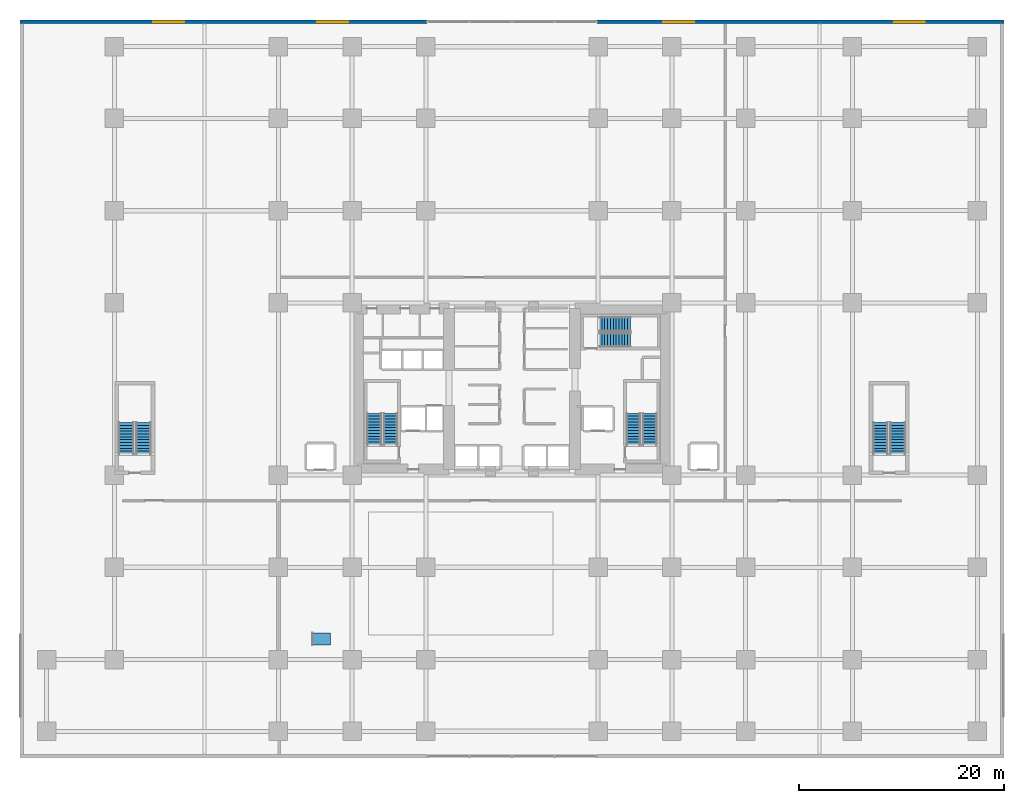
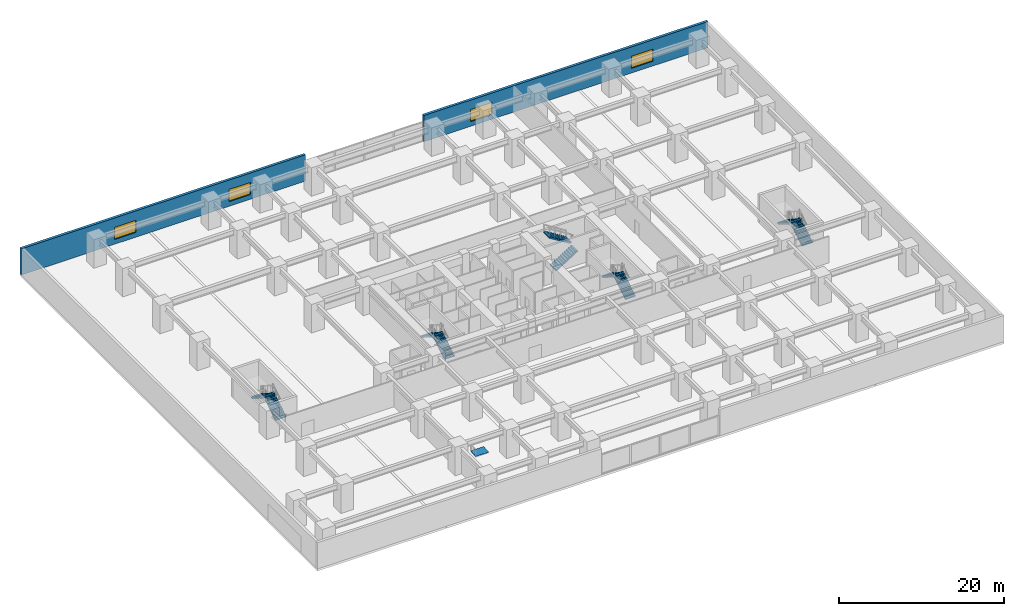
# One storey, part 14 of 22: 10 stair flights, 4 windows, 2 walls, 1 ramp flight, 4 openings, 6 elements without a shape of their own.
"""IFC4 building model written with IfcOpenShell, lengths in metres."""

from ifc_helpers import new_model, si_unit, direction, frame, frame_2d, origin, place, context, subcontext, project, spatial, polyline, rectangle, outline, extrude, material, layer, layer_set, type_object, element, fill, aggregate, save


model = new_model("IFC4")

# Units and contexts
model_context = context("Model", 3, precision=1e-05, world=origin(), true_north=direction((0.0, 1.0)))
body_context = subcontext(model_context, "Body", "Model", "MODEL_VIEW")
ifc_project = project(units=[si_unit("LENGTHUNIT", "METRE"), si_unit("AREAUNIT", "SQUARE_METRE"), si_unit("VOLUMEUNIT", "CUBIC_METRE"), si_unit("PLANEANGLEUNIT", "RADIAN"), si_unit("MASSUNIT", "GRAM", prefix="KILO")], contexts=[model_context])

# Site, building, storey
site_placement = place(None, origin())
site = spatial("IfcSite", under=ifc_project, at=site_placement, CompositionType="ELEMENT")
building_placement = place(site_placement, origin())
building = spatial("IfcBuilding", under=site, at=building_placement, Name="Kiyonajd Concourse Tower", CompositionType="ELEMENT")
storey_placement = place(building_placement, frame((0.0, 0.0, 4.5)))
storey = spatial("IfcBuildingStorey", under=building, at=storey_placement, Name="L02", CompositionType="ELEMENT", Elevation=4.5)

# Wall, openings, windows
ifc_material_1 = material(Name="Precast concrete C50/60", Category="concrete")
ifc_layer_1 = layer(ifc_material_1, 0.360107421875)
ifc_layer_set_1 = layer_set([ifc_layer_1], Name="Precast concrete C50/60")
wall_type = type_object("IfcWallType", Name="WL-EXT-360", PredefinedType="SOLIDWALL", material=ifc_layer_set_1)
wall_1_placement = place(storey_placement, frame((0.0, 71.820068359375, 0.0), z_axis=(0.0, 0.0, 1.0), x_axis=(1.0, 0.0, 0.0)))
wall_1 = element("IfcWall", 1, at=wall_1_placement, inside=storey, type_object=wall_type, Name="L02 North West Podium Facade Wall", PredefinedType="SOLIDWALL", context=body_context, shape_type="SweptSolid", body=[
    extrude(rectangle(XDim=39.719970703125, YDim=0.360107421875, at=frame_2d((19.85986328125, 0.0))), origin(), (0.0, 0.0, 1.0), 3.8798828125),
])
opening_1_placement = place(wall_1_placement, frame((13.0, 0.0, 0.699951171875)))
opening_1 = element("IfcOpeningElement", 2, at=opening_1_placement, cuts=wall_1, Name="Opening WN7", PredefinedType="OPENING", context=body_context, shape_type="SweptSolid", body=[
    extrude(rectangle(XDim=3.0, YDim=1.800048828125, at=frame_2d((1.5, 0.89990234375))), frame((0.0, 0.18994140625, 0.0), z_axis=(0.0, -1.0, 0.0), x_axis=(1.0, 0.0, 0.0)), (0.0, 0.0, 1.0), 0.380126953125),
])
opening_2_placement = place(wall_1_placement, frame((29.0, 0.0, 0.699951171875)))
opening_2 = element("IfcOpeningElement", 3, at=opening_2_placement, cuts=wall_1, Name="Opening WN7", PredefinedType="OPENING", context=body_context, shape_type="SweptSolid", body=[
    extrude(rectangle(XDim=3.0, YDim=1.800048828125, at=frame_2d((1.5, 0.89990234375))), frame((0.0, 0.18994140625, 0.0), z_axis=(0.0, -1.0, 0.0), x_axis=(1.0, 0.0, 0.0)), (0.0, 0.0, 1.0), 0.380126953125),
])
ifc_material_2 = material(Name="Double Low-E Insulated Glass", Category="glass")
window_type = type_object("IfcWindowType", Name="WN-POD-3000x1800", PartitioningType="SINGLE_PANEL", PredefinedType="WINDOW", material=ifc_material_2)
window_1_placement = place(opening_1_placement, origin())
window_1 = element("IfcWindow", 4, at=window_1_placement, inside=storey, type_object=window_type, Name="L02 North West Podium Vision Window", OverallHeight=1.800048828125, OverallWidth=3.0, PartitioningType="SINGLE_PANEL", PredefinedType="WINDOW", context=body_context, shape_type="SweptSolid", body=[
    extrude(rectangle(XDim=3.0, YDim=1.800048828125, at=frame_2d((1.5, 0.89990234375))), frame((0.0, 0.030029296875, 0.0), z_axis=(0.0, -1.0, 0.0), x_axis=(1.0, 0.0, 0.0)), (0.0, 0.0, 1.0), 0.06005859375),
])
fill(opening_1, window_1)
window_2_placement = place(opening_2_placement, origin())
window_2 = element("IfcWindow", 5, at=window_2_placement, inside=storey, type_object=window_type, Name="L02 North West Podium Vision Window", OverallHeight=1.800048828125, OverallWidth=3.0, PartitioningType="SINGLE_PANEL", PredefinedType="WINDOW", context=body_context, shape_type="SweptSolid", body=[
    extrude(rectangle(XDim=3.0, YDim=1.800048828125, at=frame_2d((1.5, 0.89990234375))), frame((0.0, 0.030029296875, 0.0), z_axis=(0.0, -1.0, 0.0), x_axis=(1.0, 0.0, 0.0)), (0.0, 0.0, 1.0), 0.06005859375),
])
fill(opening_2, window_2)

wall_2_placement = place(storey_placement, frame((56.280029296875, 71.820068359375, 0.0), z_axis=(0.0, 0.0, 1.0), x_axis=(1.0, 0.0, 0.0)))
wall_2 = element("IfcWall", 6, at=wall_2_placement, inside=storey, type_object=wall_type, Name="L02 North East Podium Facade Wall", PredefinedType="SOLIDWALL", context=body_context, shape_type="SweptSolid", body=[
    extrude(rectangle(XDim=39.719970703125, YDim=0.360107421875, at=frame_2d((19.85986328125, 0.0))), origin(), (0.0, 0.0, 1.0), 3.8798828125),
])
opening_3_placement = place(wall_2_placement, frame((6.5, 0.0, 0.699951171875)))
opening_3 = element("IfcOpeningElement", 7, at=opening_3_placement, cuts=wall_2, Name="Opening WN7", PredefinedType="OPENING", context=body_context, shape_type="SweptSolid", body=[
    extrude(rectangle(XDim=3.0, YDim=1.800048828125, at=frame_2d((1.5, 0.89990234375))), frame((0.0, 0.18994140625, 0.0), z_axis=(0.0, -1.0, 0.0), x_axis=(1.0, 0.0, 0.0)), (0.0, 0.0, 1.0), 0.380126953125),
])
opening_4_placement = place(wall_2_placement, frame((29.0, 0.0, 0.699951171875)))
opening_4 = element("IfcOpeningElement", 8, at=opening_4_placement, cuts=wall_2, Name="Opening WN7", PredefinedType="OPENING", context=body_context, shape_type="SweptSolid", body=[
    extrude(rectangle(XDim=3.0, YDim=1.800048828125, at=frame_2d((1.5, 0.89990234375))), frame((0.0, 0.18994140625, 0.0), z_axis=(0.0, -1.0, 0.0), x_axis=(1.0, 0.0, 0.0)), (0.0, 0.0, 1.0), 0.380126953125),
])
window_3_placement = place(opening_3_placement, origin())
window_3 = element("IfcWindow", 9, at=window_3_placement, inside=storey, type_object=window_type, Name="L02 North East Podium Vision Window", OverallHeight=1.800048828125, OverallWidth=3.0, PartitioningType="SINGLE_PANEL", PredefinedType="WINDOW", context=body_context, shape_type="SweptSolid", body=[
    extrude(rectangle(XDim=3.0, YDim=1.800048828125, at=frame_2d((1.5, 0.89990234375))), frame((0.0, 0.030029296875, 0.0), z_axis=(0.0, -1.0, 0.0), x_axis=(1.0, 0.0, 0.0)), (0.0, 0.0, 1.0), 0.06005859375),
])
fill(opening_3, window_3)
window_4_placement = place(opening_4_placement, origin())
window_4 = element("IfcWindow", 10, at=window_4_placement, inside=storey, type_object=window_type, Name="L02 North East Podium Vision Window", OverallHeight=1.800048828125, OverallWidth=3.0, PartitioningType="SINGLE_PANEL", PredefinedType="WINDOW", context=body_context, shape_type="SweptSolid", body=[
    extrude(rectangle(XDim=3.0, YDim=1.800048828125, at=frame_2d((1.5, 0.89990234375))), frame((0.0, 0.030029296875, 0.0), z_axis=(0.0, -1.0, 0.0), x_axis=(1.0, 0.0, 0.0)), (0.0, 0.0, 1.0), 0.06005859375),
])
fill(opening_4, window_4)

# Stair, stair flights
ifc_material_3 = material(Name="Concrete C40/50", Category="concrete")
stair_type_1 = type_object("IfcStairType", Name="ST-POD-1500", PredefinedType="HALF_TURN_STAIR", material=ifc_material_3)
stair_1_placement = place(storey_placement, origin())
stair_1 = element("IfcStair", 11, at=stair_1_placement, inside=storey, type_object=stair_type_1, Name="L02 West Podium Exit Stair ST4", PredefinedType="HALF_TURN_STAIR")
stair_flight_type_1 = type_object("IfcStairFlightType", Name="SF-POD-1500", PredefinedType="STRAIGHT", material=ifc_material_3)
stair_flight_1_placement = place(storey_placement, frame((12.050048828125, 29.64990234375, 0.0), z_axis=(0.0, 0.0, 1.0), x_axis=(0.0, 1.0, 0.0)))
stair_flight_1 = element("IfcStairFlight", 12, at=stair_flight_1_placement, type_object=stair_flight_type_1, Name="ST4 flight 1", NumberOfRisers=12, NumberOfTreads=11, PredefinedType="STRAIGHT", RiserHeight=0.175, TreadLength=0.28, context=body_context, shape_type="SweptSolid", body=[
    extrude(outline(polyline([(0.0, 0.0), (0.0, 0.175048828125), (0.280029296875, 0.175048828125), (0.280029296875, 0.35009765625), (0.56005859375, 0.35009765625), (0.56005859375, 0.52490234375), (0.840087890625, 0.52490234375), (0.840087890625, 0.699951171875), (1.1201171875, 0.699951171875), (1.1201171875, 0.875), (1.39990234375, 0.875), (1.39990234375, 1.050048828125), (1.679931640625, 1.050048828125), (1.679931640625, 1.22509765625), (1.9599609375, 1.22509765625), (1.9599609375, 1.39990234375), (2.239990234375, 1.39990234375), (2.239990234375, 1.574951171875), (2.52001953125, 1.574951171875), (2.52001953125, 1.75), (2.800048828125, 1.75), (2.800048828125, 1.925048828125), (3.080078125, 1.925048828125), (3.080078125, 2.10009765625), (3.080078125, 1.748291015625), (0.28271484375, 0.0), (0.0, 0.0)])), frame((0.0, 0.75, 0.0), z_axis=(0.0, -1.0, 0.0), x_axis=(1.0, 0.0, 0.0)), (0.0, 0.0, 1.0), 1.5),
])
stair_flight_2_placement = place(storey_placement, frame((10.35009765625, 32.72998046875, 2.10009765625), z_axis=(0.0, 0.0, 1.0), x_axis=(0.0, -1.0, 0.0)))
stair_flight_2 = element("IfcStairFlight", 13, at=stair_flight_2_placement, type_object=stair_flight_type_1, Name="ST4 flight 2", NumberOfRisers=12, NumberOfTreads=11, PredefinedType="STRAIGHT", RiserHeight=0.175, TreadLength=0.28, context=body_context, shape_type="SweptSolid", body=[
    extrude(outline(polyline([(0.0, 0.0), (0.0, 0.175048828125), (0.280029296875, 0.175048828125), (0.280029296875, 0.35009765625), (0.56005859375, 0.35009765625), (0.56005859375, 0.52490234375), (0.840087890625, 0.52490234375), (0.840087890625, 0.699951171875), (1.1201171875, 0.699951171875), (1.1201171875, 0.875), (1.39990234375, 0.875), (1.39990234375, 1.050048828125), (1.679931640625, 1.050048828125), (1.679931640625, 1.22509765625), (1.9599609375, 1.22509765625), (1.9599609375, 1.39990234375), (2.239990234375, 1.39990234375), (2.239990234375, 1.574951171875), (2.52001953125, 1.574951171875), (2.52001953125, 1.75), (2.800048828125, 1.75), (2.800048828125, 1.925048828125), (3.080078125, 1.925048828125), (3.080078125, 2.10009765625), (3.080078125, 1.748291015625), (0.28271484375, 0.0), (0.0, 0.0)])), frame((0.0, 0.75, 0.0), z_axis=(0.0, -1.0, 0.0), x_axis=(1.0, 0.0, 0.0)), (0.0, 0.0, 1.0), 1.5),
])
aggregate(stair_1, [stair_flight_1, stair_flight_2])

stair_2_placement = place(storey_placement, origin())
stair_2 = element("IfcStair", 14, at=stair_2_placement, inside=storey, type_object=stair_type_1, Name="L02 East Podium Exit Stair ST5", PredefinedType="HALF_TURN_STAIR")
stair_flight_3_placement = place(storey_placement, frame((85.64990234375, 29.64990234375, 0.0), z_axis=(0.0, 0.0, 1.0), x_axis=(0.0, 1.0, 0.0)))
stair_flight_3 = element("IfcStairFlight", 15, at=stair_flight_3_placement, type_object=stair_flight_type_1, Name="ST5 flight 1", NumberOfRisers=12, NumberOfTreads=11, PredefinedType="STRAIGHT", RiserHeight=0.175, TreadLength=0.28, context=body_context, shape_type="SweptSolid", body=[
    extrude(outline(polyline([(0.0, 0.0), (0.0, 0.175048828125), (0.280029296875, 0.175048828125), (0.280029296875, 0.35009765625), (0.56005859375, 0.35009765625), (0.56005859375, 0.52490234375), (0.840087890625, 0.52490234375), (0.840087890625, 0.699951171875), (1.1201171875, 0.699951171875), (1.1201171875, 0.875), (1.39990234375, 0.875), (1.39990234375, 1.050048828125), (1.679931640625, 1.050048828125), (1.679931640625, 1.22509765625), (1.9599609375, 1.22509765625), (1.9599609375, 1.39990234375), (2.239990234375, 1.39990234375), (2.239990234375, 1.574951171875), (2.52001953125, 1.574951171875), (2.52001953125, 1.75), (2.800048828125, 1.75), (2.800048828125, 1.925048828125), (3.080078125, 1.925048828125), (3.080078125, 2.10009765625), (3.080078125, 1.748291015625), (0.28271484375, 0.0), (0.0, 0.0)])), frame((0.0, 0.75, 0.0), z_axis=(0.0, -1.0, 0.0), x_axis=(1.0, 0.0, 0.0)), (0.0, 0.0, 1.0), 1.5),
])
stair_flight_4_placement = place(storey_placement, frame((83.949951171875, 32.72998046875, 2.10009765625), z_axis=(0.0, 0.0, 1.0), x_axis=(0.0, -1.0, 0.0)))
stair_flight_4 = element("IfcStairFlight", 16, at=stair_flight_4_placement, type_object=stair_flight_type_1, Name="ST5 flight 2", NumberOfRisers=12, NumberOfTreads=11, PredefinedType="STRAIGHT", RiserHeight=0.175, TreadLength=0.28, context=body_context, shape_type="SweptSolid", body=[
    extrude(outline(polyline([(0.0, 0.0), (0.0, 0.175048828125), (0.280029296875, 0.175048828125), (0.280029296875, 0.35009765625), (0.56005859375, 0.35009765625), (0.56005859375, 0.52490234375), (0.840087890625, 0.52490234375), (0.840087890625, 0.699951171875), (1.1201171875, 0.699951171875), (1.1201171875, 0.875), (1.39990234375, 0.875), (1.39990234375, 1.050048828125), (1.679931640625, 1.050048828125), (1.679931640625, 1.22509765625), (1.9599609375, 1.22509765625), (1.9599609375, 1.39990234375), (2.239990234375, 1.39990234375), (2.239990234375, 1.574951171875), (2.52001953125, 1.574951171875), (2.52001953125, 1.75), (2.800048828125, 1.75), (2.800048828125, 1.925048828125), (3.080078125, 1.925048828125), (3.080078125, 2.10009765625), (3.080078125, 1.748291015625), (0.28271484375, 0.0), (0.0, 0.0)])), frame((0.0, 0.75, 0.0), z_axis=(0.0, -1.0, 0.0), x_axis=(1.0, 0.0, 0.0)), (0.0, 0.0, 1.0), 1.5),
])
aggregate(stair_2, [stair_flight_3, stair_flight_4])

stair_type_2 = type_object("IfcStairType", Name="ST-DLG-24R", PredefinedType="HALF_TURN_STAIR", material=ifc_material_3)
stair_3_placement = place(storey_placement, origin())
stair_3 = element("IfcStair", 17, at=stair_3_placement, inside=storey, type_object=stair_type_2, Name="L02 Protected Exit Stair ST1", PredefinedType="HALF_TURN_STAIR")
stair_flight_type_2 = type_object("IfcStairFlightType", Name="SF-STR-24R", PredefinedType="STRAIGHT", material=ifc_material_3)
stair_flight_5_placement = place(storey_placement, frame((36.14990234375, 30.550048828125, 0.0), z_axis=(0.0, 0.0, 1.0), x_axis=(0.0, 1.0, 0.0)))
stair_flight_5 = element("IfcStairFlight", 18, at=stair_flight_5_placement, type_object=stair_flight_type_2, Name="ST1 flight 1", NumberOfRisers=12, NumberOfTreads=11, PredefinedType="STRAIGHT", RiserHeight=0.175, TreadLength=0.28, context=body_context, shape_type="SweptSolid", body=[
    extrude(outline(polyline([(0.0, 0.0), (0.0, 0.175048828125), (0.280029296875, 0.175048828125), (0.280029296875, 0.35009765625), (0.56005859375, 0.35009765625), (0.56005859375, 0.52490234375), (0.840087890625, 0.52490234375), (0.840087890625, 0.699951171875), (1.1201171875, 0.699951171875), (1.1201171875, 0.875), (1.39990234375, 0.875), (1.39990234375, 1.050048828125), (1.679931640625, 1.050048828125), (1.679931640625, 1.22509765625), (1.9599609375, 1.22509765625), (1.9599609375, 1.39990234375), (2.239990234375, 1.39990234375), (2.239990234375, 1.574951171875), (2.52001953125, 1.574951171875), (2.52001953125, 1.75), (2.800048828125, 1.75), (2.800048828125, 1.925048828125), (3.080078125, 1.925048828125), (3.080078125, 2.10009765625), (3.080078125, 1.748291015625), (0.28271484375, 0.0), (0.0, 0.0)])), frame((0.0, 0.699951171875, 0.0), z_axis=(0.0, -1.0, 0.0), x_axis=(1.0, 0.0, 0.0)), (0.0, 0.0, 1.0), 1.39990234375),
])
stair_flight_6_placement = place(storey_placement, frame((34.550048828125, 33.6298828125, 2.10009765625), z_axis=(0.0, 0.0, 1.0), x_axis=(0.0, -1.0, 0.0)))
stair_flight_6 = element("IfcStairFlight", 19, at=stair_flight_6_placement, type_object=stair_flight_type_2, Name="ST1 flight 2", NumberOfRisers=12, NumberOfTreads=11, PredefinedType="STRAIGHT", RiserHeight=0.175, TreadLength=0.28, context=body_context, shape_type="SweptSolid", body=[
    extrude(outline(polyline([(0.0, 0.0), (0.0, 0.175048828125), (0.280029296875, 0.175048828125), (0.280029296875, 0.35009765625), (0.56005859375, 0.35009765625), (0.56005859375, 0.52490234375), (0.840087890625, 0.52490234375), (0.840087890625, 0.699951171875), (1.1201171875, 0.699951171875), (1.1201171875, 0.875), (1.39990234375, 0.875), (1.39990234375, 1.050048828125), (1.679931640625, 1.050048828125), (1.679931640625, 1.22509765625), (1.9599609375, 1.22509765625), (1.9599609375, 1.39990234375), (2.239990234375, 1.39990234375), (2.239990234375, 1.574951171875), (2.52001953125, 1.574951171875), (2.52001953125, 1.75), (2.800048828125, 1.75), (2.800048828125, 1.925048828125), (3.080078125, 1.925048828125), (3.080078125, 2.10009765625), (3.080078125, 1.748291015625), (0.28271484375, 0.0), (0.0, 0.0)])), frame((0.0, 0.699951171875, 0.0), z_axis=(0.0, -1.0, 0.0), x_axis=(1.0, 0.0, 0.0)), (0.0, 0.0, 1.0), 1.39990234375),
])
aggregate(stair_3, [stair_flight_5, stair_flight_6])

stair_4_placement = place(storey_placement, origin())
stair_4 = element("IfcStair", 20, at=stair_4_placement, inside=storey, type_object=stair_type_2, Name="L02 Protected Exit Stair ST2", PredefinedType="HALF_TURN_STAIR")
stair_flight_7_placement = place(storey_placement, frame((61.449951171875, 30.550048828125, 0.0), z_axis=(0.0, 0.0, 1.0), x_axis=(0.0, 1.0, 0.0)))
stair_flight_7 = element("IfcStairFlight", 21, at=stair_flight_7_placement, type_object=stair_flight_type_2, Name="ST2 flight 1", NumberOfRisers=12, NumberOfTreads=11, PredefinedType="STRAIGHT", RiserHeight=0.175, TreadLength=0.28, context=body_context, shape_type="SweptSolid", body=[
    extrude(outline(polyline([(0.0, 0.0), (0.0, 0.175048828125), (0.280029296875, 0.175048828125), (0.280029296875, 0.35009765625), (0.56005859375, 0.35009765625), (0.56005859375, 0.52490234375), (0.840087890625, 0.52490234375), (0.840087890625, 0.699951171875), (1.1201171875, 0.699951171875), (1.1201171875, 0.875), (1.39990234375, 0.875), (1.39990234375, 1.050048828125), (1.679931640625, 1.050048828125), (1.679931640625, 1.22509765625), (1.9599609375, 1.22509765625), (1.9599609375, 1.39990234375), (2.239990234375, 1.39990234375), (2.239990234375, 1.574951171875), (2.52001953125, 1.574951171875), (2.52001953125, 1.75), (2.800048828125, 1.75), (2.800048828125, 1.925048828125), (3.080078125, 1.925048828125), (3.080078125, 2.10009765625), (3.080078125, 1.748291015625), (0.28271484375, 0.0), (0.0, 0.0)])), frame((0.0, 0.699951171875, 0.0), z_axis=(0.0, -1.0, 0.0), x_axis=(1.0, 0.0, 0.0)), (0.0, 0.0, 1.0), 1.39990234375),
])
stair_flight_8_placement = place(storey_placement, frame((59.85009765625, 33.6298828125, 2.10009765625), z_axis=(0.0, 0.0, 1.0), x_axis=(0.0, -1.0, 0.0)))
stair_flight_8 = element("IfcStairFlight", 22, at=stair_flight_8_placement, type_object=stair_flight_type_2, Name="ST2 flight 2", NumberOfRisers=12, NumberOfTreads=11, PredefinedType="STRAIGHT", RiserHeight=0.175, TreadLength=0.28, context=body_context, shape_type="SweptSolid", body=[
    extrude(outline(polyline([(0.0, 0.0), (0.0, 0.175048828125), (0.280029296875, 0.175048828125), (0.280029296875, 0.35009765625), (0.56005859375, 0.35009765625), (0.56005859375, 0.52490234375), (0.840087890625, 0.52490234375), (0.840087890625, 0.699951171875), (1.1201171875, 0.699951171875), (1.1201171875, 0.875), (1.39990234375, 0.875), (1.39990234375, 1.050048828125), (1.679931640625, 1.050048828125), (1.679931640625, 1.22509765625), (1.9599609375, 1.22509765625), (1.9599609375, 1.39990234375), (2.239990234375, 1.39990234375), (2.239990234375, 1.574951171875), (2.52001953125, 1.574951171875), (2.52001953125, 1.75), (2.800048828125, 1.75), (2.800048828125, 1.925048828125), (3.080078125, 1.925048828125), (3.080078125, 2.10009765625), (3.080078125, 1.748291015625), (0.28271484375, 0.0), (0.0, 0.0)])), frame((0.0, 0.699951171875, 0.0), z_axis=(0.0, -1.0, 0.0), x_axis=(1.0, 0.0, 0.0)), (0.0, 0.0, 1.0), 1.39990234375),
])
aggregate(stair_4, [stair_flight_7, stair_flight_8])

stair_5_placement = place(storey_placement, origin())
stair_5 = element("IfcStair", 23, at=stair_5_placement, inside=storey, type_object=stair_type_2, Name="L02 Protected Exit Stair ST3", PredefinedType="HALF_TURN_STAIR")
stair_flight_9_placement = place(storey_placement, frame((56.47998046875, 40.780029296875, 0.0), z_axis=(0.0, 0.0, 1.0), x_axis=(1.0, 0.0, 0.0)))
stair_flight_9 = element("IfcStairFlight", 24, at=stair_flight_9_placement, type_object=stair_flight_type_2, Name="ST3 flight 1", NumberOfRisers=12, NumberOfTreads=11, PredefinedType="STRAIGHT", RiserHeight=0.175, TreadLength=0.28, context=body_context, shape_type="SweptSolid", body=[
    extrude(outline(polyline([(0.0, 0.0), (0.0, 0.175048828125), (0.280029296875, 0.175048828125), (0.280029296875, 0.35009765625), (0.56005859375, 0.35009765625), (0.56005859375, 0.52490234375), (0.840087890625, 0.52490234375), (0.840087890625, 0.699951171875), (1.1201171875, 0.699951171875), (1.1201171875, 0.875), (1.39990234375, 0.875), (1.39990234375, 1.050048828125), (1.679931640625, 1.050048828125), (1.679931640625, 1.22509765625), (1.9599609375, 1.22509765625), (1.9599609375, 1.39990234375), (2.239990234375, 1.39990234375), (2.239990234375, 1.574951171875), (2.52001953125, 1.574951171875), (2.52001953125, 1.75), (2.800048828125, 1.75), (2.800048828125, 1.925048828125), (3.080078125, 1.925048828125), (3.080078125, 2.10009765625), (3.080078125, 1.748291015625), (0.28271484375, 0.0), (0.0, 0.0)])), frame((0.0, 0.699951171875, 0.0), z_axis=(0.0, -1.0, 0.0), x_axis=(1.0, 0.0, 0.0)), (0.0, 0.0, 1.0), 1.39990234375),
])
stair_flight_10_placement = place(storey_placement, frame((59.56005859375, 42.320068359375, 2.10009765625), z_axis=(0.0, 0.0, 1.0), x_axis=(-1.0, 0.0, 0.0)))
stair_flight_10 = element("IfcStairFlight", 25, at=stair_flight_10_placement, type_object=stair_flight_type_2, Name="ST3 flight 2", NumberOfRisers=12, NumberOfTreads=11, PredefinedType="STRAIGHT", RiserHeight=0.175, TreadLength=0.28, context=body_context, shape_type="SweptSolid", body=[
    extrude(outline(polyline([(0.0, 0.0), (0.0, 0.175048828125), (0.280029296875, 0.175048828125), (0.280029296875, 0.35009765625), (0.56005859375, 0.35009765625), (0.56005859375, 0.52490234375), (0.840087890625, 0.52490234375), (0.840087890625, 0.699951171875), (1.1201171875, 0.699951171875), (1.1201171875, 0.875), (1.39990234375, 0.875), (1.39990234375, 1.050048828125), (1.679931640625, 1.050048828125), (1.679931640625, 1.22509765625), (1.9599609375, 1.22509765625), (1.9599609375, 1.39990234375), (2.239990234375, 1.39990234375), (2.239990234375, 1.574951171875), (2.52001953125, 1.574951171875), (2.52001953125, 1.75), (2.800048828125, 1.75), (2.800048828125, 1.925048828125), (3.080078125, 1.925048828125), (3.080078125, 2.10009765625), (3.080078125, 1.748291015625), (0.28271484375, 0.0), (0.0, 0.0)])), frame((0.0, 0.699951171875, 0.0), z_axis=(0.0, -1.0, 0.0), x_axis=(1.0, 0.0, 0.0)), (0.0, 0.0, 1.0), 1.39990234375),
])
aggregate(stair_5, [stair_flight_9, stair_flight_10])

# Ramp, ramp flight
ramp_type = type_object("IfcRampType", Name="RM-PED-1800", PredefinedType="STRAIGHT_RUN_RAMP", material=ifc_material_3)
ramp_placement = place(storey_placement, origin())
ramp = element("IfcRamp", 26, at=ramp_placement, inside=storey, type_object=ramp_type, Name="L02 Accessible Threshold Ramp PR2", PredefinedType="STRAIGHT_RUN_RAMP")
ifc_layer_2 = layer(ifc_material_3, 0.179931640625)
ifc_layer_set_2 = layer_set([ifc_layer_2], Name="Concrete C40/50")
ramp_flight_type = type_object("IfcRampFlightType", Name="RF-PED-180", PredefinedType="STRAIGHT", material=ifc_layer_set_2)
ramp_flight_placement = place(storey_placement, frame((28.5, 11.0, 0.0), z_axis=(0.0, -0.083129378007, 0.996538763176), x_axis=(1.0, 0.0, 0.0)))
ramp_flight = element("IfcRampFlight", 27, at=ramp_flight_placement, type_object=ramp_flight_type, Name="L02 Accessible Ramp Flight PR2", PredefinedType="STRAIGHT", context=body_context, shape_type="SweptSolid", body=[
    extrude(outline(polyline([(0.0, 0.0), (1.800048828125, 0.0), (1.800048828125, 1.2041189125958156), (0.0, 1.2041189125958156), (0.0, 0.0)])), origin(), (0.0, 0.0, -1.0), 0.179931640625),
])
aggregate(ramp, [ramp_flight])

save(model, "model.ifc")
